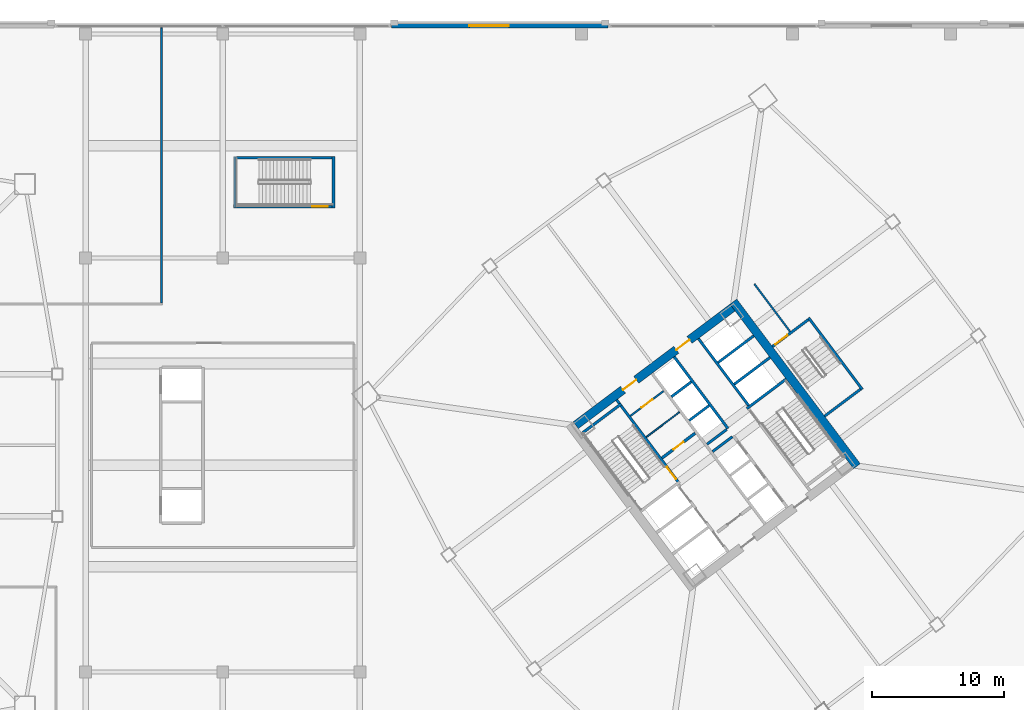
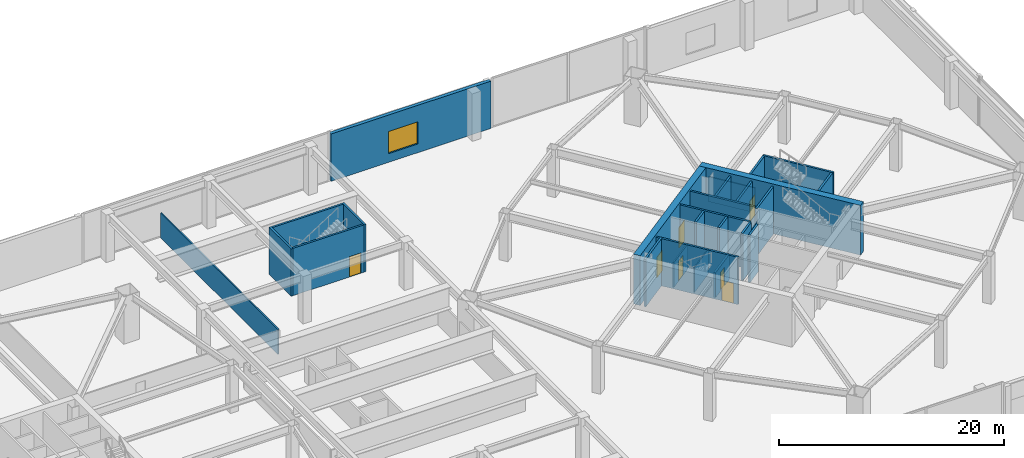
# One storey, part 37 of 48: 26 walls, 7 doors, 1 window, 8 openings.
"""IFC4 building model written with IfcOpenShell, lengths in metres."""

from ifc_helpers import new_model, si_unit, direction, frame, frame_2d, origin, place, context, subcontext, project, spatial, rectangle, extrude, material, layer, layer_set, type_object, element, fill, save


model = new_model("IFC4")

# Units and contexts
model_context = context("Model", 3, precision=1e-05, world=origin(), true_north=direction((0.0, 1.0)))
body_context = subcontext(model_context, "Body", "Model", "MODEL_VIEW")
ifc_project = project(units=[si_unit("LENGTHUNIT", "METRE"), si_unit("AREAUNIT", "SQUARE_METRE"), si_unit("VOLUMEUNIT", "CUBIC_METRE"), si_unit("PLANEANGLEUNIT", "RADIAN"), si_unit("MASSUNIT", "GRAM", prefix="KILO")], contexts=[model_context])

# Site, building, storey
site_placement = place(None, origin())
site = spatial("IfcSite", under=ifc_project, at=site_placement, CompositionType="ELEMENT")
building_placement = place(site_placement, origin())
building = spatial("IfcBuilding", under=site, at=building_placement, Name="Tashvorn Skyway Center", CompositionType="ELEMENT")
storey_placement = place(building_placement, frame((0.0, 0.0, 10.199951171875)))
storey = spatial("IfcBuildingStorey", under=building, at=storey_placement, Name="L02", CompositionType="ELEMENT", Elevation=10.199951171875)

# Wall
ifc_material_1 = material(Name="Concrete C60/75", Category="concrete")
ifc_layer_1 = layer(ifc_material_1, 0.64990234375)
ifc_layer_set_1 = layer_set([ifc_layer_1], Name="Concrete C60/75")
wall_type_1 = type_object("IfcWallType", Name="WALL-CORE-650", PredefinedType="SHEAR", material=ifc_layer_set_1)
wall_1_placement = place(storey_placement, frame((115.52392578125, 42.89306640625, 0.0), z_axis=(0.0, 0.0, 1.0), x_axis=(0.600005007985, -0.799996243986, 0.0)))
element("IfcWall", 1, at=wall_1_placement, inside=storey, type_object=wall_type_1, Name="Tower 2 L02 East Core Shear Wall", PredefinedType="SHEAR", context=body_context, shape_type="SweptSolid", body=[
    extrude(rectangle(XDim=15.60009765625, YDim=0.64990234375, at=frame_2d((7.800048828125, 0.0))), origin(), (0.0, 0.0, 1.0), 5.400146484375),
])

# Wall, openings, doors
wall_2_placement = place(storey_placement, frame((103.571044921875, 33.52197265625, 0.0), z_axis=(0.0, 0.0, 1.0), x_axis=(0.799998028465, 0.600002628705, 0.0)))
wall_2 = element("IfcWall", 2, at=wall_2_placement, inside=storey, type_object=wall_type_1, Name="Tower 2 L02 North Core Shear Wall", PredefinedType="SHEAR", context=body_context, shape_type="SweptSolid", body=[
    extrude(rectangle(XDim=14.85986328125, YDim=0.64990234375, at=frame_2d((7.429931640625, 0.0))), origin(), (0.0, 0.0, 1.0), 5.400146484375),
])
opening_1_placement = place(wall_2_placement, frame((4.47998046875, 0.0, 0.0)))
opening_1 = element("IfcOpeningElement", 3, at=opening_1_placement, cuts=wall_2, Name="Opening D-FFL-1250", PredefinedType="OPENING", context=body_context, shape_type="SweptSolid", body=[
    extrude(rectangle(XDim=1.25, YDim=2.25, at=frame_2d((0.625, 1.125))), frame((0.0, 0.3349609375, 0.0), z_axis=(0.0, -1.0, 0.0), x_axis=(1.0, 0.0, 0.0)), (0.0, 0.0, 1.0), 0.669921875),
])
opening_2_placement = place(wall_2_placement, frame((9.530029296875, 0.0, 0.0)))
opening_2 = element("IfcOpeningElement", 4, at=opening_2_placement, cuts=wall_2, Name="Opening D-FFL-1250", PredefinedType="OPENING", context=body_context, shape_type="SweptSolid", body=[
    extrude(rectangle(XDim=1.25, YDim=2.25, at=frame_2d((0.625, 1.125))), frame((0.0, 0.3349609375, 0.0), z_axis=(0.0, -1.0, 0.0), x_axis=(1.0, 0.0, 0.0)), (0.0, 0.0, 1.0), 0.669921875),
])
ifc_material_2 = material(Name="Hollow galvanized steel fire door assembly", Category="steel")
door_type_1 = type_object("IfcDoorType", Name="DOOR-FFL-1250", OperationType="NOTDEFINED", PredefinedType="DOOR", material=ifc_material_2)
door_1_placement = place(opening_1_placement, origin())
door_1 = element("IfcDoor", 5, at=door_1_placement, inside=storey, type_object=door_type_1, Name="Tower 2 L02 Core North Service Lobby Door", OperationType="SINGLE_SWING_LEFT", OverallHeight=2.25, OverallWidth=1.25, PredefinedType="DOOR", context=body_context, shape_type="SweptSolid", body=[
    extrude(rectangle(XDim=1.25, YDim=2.25, at=frame_2d((0.625, 1.125))), frame((0.0, 0.02490234375, 0.0), z_axis=(0.0, -1.0, 0.0), x_axis=(1.0, 0.0, 0.0)), (0.0, 0.0, 1.0), 0.050048828125),
])
fill(opening_1, door_1)
door_2_placement = place(opening_2_placement, origin())
door_2 = element("IfcDoor", 6, at=door_2_placement, inside=storey, type_object=door_type_1, Name="Tower 2 L02 Core North Lift Lobby Door", OperationType="SINGLE_SWING_RIGHT", OverallHeight=2.25, OverallWidth=1.25, PredefinedType="DOOR", context=body_context, shape_type="SweptSolid", body=[
    extrude(rectangle(XDim=1.25, YDim=2.25, at=frame_2d((0.625, 1.125))), frame((0.0, 0.02490234375, 0.0), z_axis=(0.0, -1.0, 0.0), x_axis=(1.0, 0.0, 0.0)), (0.0, 0.0, 1.0), 0.050048828125),
])
fill(opening_2, door_2)

# Wall, opening, window
ifc_material_3 = material(Name="Precast concrete C40/50", Category="concrete")
ifc_layer_2 = layer(ifc_material_3, 0.35009765625)
ifc_layer_set_2 = layer_set([ifc_layer_2], Name="Precast concrete C40/50")
wall_type_2 = type_object("IfcWallType", Name="WALL-EXT-350", PredefinedType="SOLIDWALL", material=ifc_layer_set_2)
wall_3_placement = place(storey_placement, frame((89.60009765625, 63.824951171875, 0.0), z_axis=(0.0, 0.0, 1.0), x_axis=(1.0, 0.0, 0.0)))
wall_3 = element("IfcWall", 7, at=wall_3_placement, inside=storey, type_object=wall_type_2, Name="L02 North Postmodern Pier Wall M2", PredefinedType="SOLIDWALL", context=body_context, shape_type="SweptSolid", body=[
    extrude(rectangle(XDim=16.39990234375, YDim=0.35009765625, at=frame_2d((8.199951171875, 0.0))), origin(), (0.0, 0.0, 1.0), 5.14013671875),
])
opening_3_placement = place(wall_3_placement, frame((5.89990234375, 0.0, 0.949951171875)))
opening_3 = element("IfcOpeningElement", 8, at=opening_3_placement, cuts=wall_3, Name="Opening WIN-3000", PredefinedType="OPENING", context=body_context, shape_type="SweptSolid", body=[
    extrude(rectangle(XDim=3.0, YDim=2.39990234375, at=frame_2d((1.5, 1.199951171875))), frame((0.0, 0.18505859375, 0.0), z_axis=(0.0, -1.0, 0.0), x_axis=(1.0, 0.0, 0.0)), (0.0, 0.0, 1.0), 0.3701171875),
])
ifc_material_4 = material(Name="Low-E solar-control double insulating safety glass", Category="glass")
window_type = type_object("IfcWindowType", Name="WIN-POD-3000", PartitioningType="SINGLE_PANEL", PredefinedType="WINDOW", material=ifc_material_4)
window_placement = place(opening_3_placement, origin())
window = element("IfcWindow", 9, at=window_placement, inside=storey, type_object=window_type, Name="L02 North Station Pier Window 05", OverallHeight=2.39990234375, OverallWidth=3.0, PartitioningType="SINGLE_PANEL", PredefinedType="WINDOW", context=body_context, shape_type="SweptSolid", body=[
    extrude(rectangle(XDim=3.0, YDim=2.39990234375, at=frame_2d((1.5, 1.199951171875))), frame((0.0, 0.030029296875, 0.0), z_axis=(0.0, -1.0, 0.0), x_axis=(1.0, 0.0, 0.0)), (0.0, 0.0, 1.0), 0.06005859375),
])
fill(opening_3, window)

# Wall, opening, door
ifc_material_5 = material(Name="Concrete C40/50", Category="concrete")
ifc_layer_3 = layer(ifc_material_5, 0.219970703125)
ifc_layer_set_3 = layer_set([ifc_layer_3], Name="Concrete C40/50")
wall_type_3 = type_object("IfcWallType", Name="WALL-FFL-220", PredefinedType="SOLIDWALL", material=ifc_layer_set_3)
wall_4_placement = place(storey_placement, frame((110.10400390625, 31.028076171875, 0.0), z_axis=(0.0, 0.0, 1.0), x_axis=(0.800018601094, 0.59997519774, 0.0)))
wall_4 = element("IfcWall", 10, at=wall_4_placement, inside=storey, type_object=wall_type_3, Name="Tower 2 L02 Firefighting Lobby North Wall", PredefinedType="SOLIDWALL", context=body_context, shape_type="SweptSolid", body=[
    extrude(rectangle(XDim=3.14990234375, YDim=0.219970703125, at=frame_2d((1.574951171875, 0.0))), origin(), (0.0, 0.0, 1.0), 2.7099609375),
])
opening_4_placement = place(wall_4_placement, frame((1.10009765625, 0.0, 0.0)))
opening_4 = element("IfcOpeningElement", 11, at=opening_4_placement, cuts=wall_4, Name="Opening D-RT-950", PredefinedType="OPENING", context=body_context, shape_type="SweptSolid", body=[
    extrude(rectangle(XDim=0.949951171875, YDim=2.050048828125, at=frame_2d((0.47509765625, 1.02490234375))), frame((0.0, 0.119873046875, 0.0), z_axis=(0.0, -1.0, 0.0), x_axis=(1.0, 0.0, 0.0)), (0.0, 0.0, 1.0), 0.239990234375),
])
door_type_2 = type_object("IfcDoorType", Name="DOOR-RATED-950", OperationType="NOTDEFINED", PredefinedType="DOOR", material=ifc_material_2)
door_3_placement = place(opening_4_placement, origin())
door_3 = element("IfcDoor", 12, at=door_3_placement, inside=storey, type_object=door_type_2, Name="Tower 2 L02 Core Linen Store Door", OperationType="SINGLE_SWING_LEFT", OverallHeight=2.050048828125, OverallWidth=0.949951171875, PredefinedType="DOOR", context=body_context, shape_type="SweptSolid", body=[
    extrude(rectangle(XDim=0.949951171875, YDim=2.050048828125, at=frame_2d((0.47509765625, 1.02490234375))), frame((0.0, 0.02490234375, 0.0), z_axis=(0.0, -1.0, 0.0), x_axis=(1.0, 0.0, 0.0)), (0.0, 0.0, 1.0), 0.050048828125),
])
fill(opening_4, door_3)

# Walls
ifc_material_6 = material(Name="Gypsum board on cold-formed steel stud framing", Category="steel")
ifc_layer_4 = layer(ifc_material_6, 0.135009765625)
ifc_layer_set_4 = layer_set([ifc_layer_4], Name="Gypsum board on cold-formed steel stud framing")
wall_type_4 = type_object("IfcWallType", Name="WALL-PART-135", PredefinedType="PARTITIONING", material=ifc_layer_set_4)
wall_5_placement = place(storey_placement, frame((119.823974609375, 40.617919921875, 0.0), z_axis=(0.0, 0.0, 1.0), x_axis=(-0.59999135767, 0.800006481675, 0.0)))
element("IfcWall", 13, at=wall_5_placement, inside=storey, type_object=wall_type_4, Name="Tower 2 L02 Stair 3 Access Corridor Wall", PredefinedType="PARTITIONING", context=body_context, shape_type="SweptSolid", body=[
    extrude(rectangle(XDim=4.52001953125, YDim=0.135009765625, at=frame_2d((2.260009765625, 0.0))), origin(), (0.0, 0.0, 1.0), 2.7099609375),
])
wall_6_placement = place(storey_placement, frame((72.14990234375, 42.800048828125, 0.0), z_axis=(0.0, 0.0, 1.0), x_axis=(0.0, 1.0, 0.0)))
element("IfcWall", 14, at=wall_6_placement, inside=storey, type_object=wall_type_4, Name="L02 Kitchen East Partition", PredefinedType="PARTITIONING", context=body_context, shape_type="SweptSolid", body=[
    extrude(rectangle(XDim=20.849853515625, YDim=0.135009765625, at=frame_2d((10.4248046875, 0.0))), origin(), (0.0, 0.0, 1.0), 2.7099609375),
])
ifc_layer_5 = layer(ifc_material_6, 0.110107421875)
ifc_layer_set_5 = layer_set([ifc_layer_5], Name="Gypsum board on cold-formed steel stud framing")
wall_type_5 = type_object("IfcWallType", Name="WALL-RATED-110", PredefinedType="PARTITIONING", material=ifc_layer_set_5)
wall_7_placement = place(storey_placement, frame((108.909912109375, 32.6201171875, 0.0), z_axis=(0.0, 0.0, 1.0), x_axis=(0.800018601094, 0.59997519774, 0.0)))
element("IfcWall", 15, at=wall_7_placement, inside=storey, type_object=wall_type_5, Name="Tower 2 L02 Core Transverse Wall", PredefinedType="PARTITIONING", context=body_context, shape_type="SweptSolid", body=[
    extrude(rectangle(XDim=3.14990234375, YDim=0.110107421875, at=frame_2d((1.574951171875, 0.0))), origin(), (0.0, 0.0, 1.0), 2.7099609375),
])

# Wall, opening, door
ifc_layer_6 = layer(ifc_material_6, 0.135009765625)
ifc_layer_set_6 = layer_set([ifc_layer_6], Name="Gypsum board on cold-formed steel stud framing")
wall_type_6 = type_object("IfcWallType", Name="WALL-RATED-135", PredefinedType="PARTITIONING", material=ifc_layer_set_6)
wall_8_placement = place(storey_placement, frame((107.7099609375, 34.219970703125, 0.0), z_axis=(0.0, 0.0, 1.0), x_axis=(0.799981399002, 0.60002480053, 0.0)))
wall_8 = element("IfcWall", 16, at=wall_8_placement, inside=storey, type_object=wall_type_6, Name="Tower 2 L02 Core Service Lobby Wall", PredefinedType="PARTITIONING", context=body_context, shape_type="SweptSolid", body=[
    extrude(rectangle(XDim=3.150146484375, YDim=0.135009765625, at=frame_2d((1.5751953125, 0.0))), origin(), (0.0, 0.0, 1.0), 2.7099609375),
])
opening_5_placement = place(wall_8_placement, frame((1.050048828125, 0.0, 0.0)))
opening_5 = element("IfcOpeningElement", 17, at=opening_5_placement, cuts=wall_8, Name="Opening D-RT-1050", PredefinedType="OPENING", context=body_context, shape_type="SweptSolid", body=[
    extrude(rectangle(XDim=1.050048828125, YDim=2.199951171875, at=frame_2d((0.52490234375, 1.10009765625))), frame((0.0, 0.077392578125, 0.0), z_axis=(0.0, -1.0, 0.0), x_axis=(1.0, 0.0, 0.0)), (0.0, 0.0, 1.0), 0.155029296875),
])
door_type_3 = type_object("IfcDoorType", Name="DOOR-RATED-1050", OperationType="NOTDEFINED", PredefinedType="DOOR", material=ifc_material_2)
door_4_placement = place(opening_5_placement, origin())
door_4 = element("IfcDoor", 18, at=door_4_placement, inside=storey, type_object=door_type_3, Name="Tower 2 L02 Core Accessible WC Door", OperationType="SINGLE_SWING_RIGHT", OverallHeight=2.199951171875, OverallWidth=1.050048828125, PredefinedType="DOOR", context=body_context, shape_type="SweptSolid", body=[
    extrude(rectangle(XDim=1.050048828125, YDim=2.199951171875, at=frame_2d((0.52490234375, 1.10009765625))), frame((0.0, 0.02490234375, 0.0), z_axis=(0.0, -1.0, 0.0), x_axis=(1.0, 0.0, 0.0)), (0.0, 0.0, 1.0), 0.050048828125),
])
fill(opening_5, door_4)

# Walls
ifc_layer_7 = layer(ifc_material_5, 0.199951171875)
ifc_layer_set_7 = layer_set([ifc_layer_7], Name="Concrete C40/50")
wall_type_7 = type_object("IfcWallType", Name="WALL-SHAFT-200", PredefinedType="SOLIDWALL", material=ifc_layer_set_7)
for number, where, z_axis, x_axis, name in (
    (19, (115.590087890625, 36.6298828125, 0.0), (0.0, 0.0, 1.0), (0.799973995579, 0.600034670996, 0.0), "Tower 2 L02 High-Rise Shaft Divider"),
    (20, (114.360107421875, 38.27001953125, 0.0), (0.0, 0.0, 1.0), (0.799973995579, 0.600034670996, 0.0), "Tower 2 L02 High-Rise Shaft Divider"),
):
    element("IfcWall", number, at=place(storey_placement, frame(where, z_axis=z_axis, x_axis=x_axis)), inside=storey, type_object=wall_type_7, Name=name, PredefinedType="SOLIDWALL", context=body_context, shape_type="SweptSolid", body=[
        extrude(rectangle(XDim=3.3798828125, YDim=0.199951171875, at=frame_2d((1.68994140625, 0.0))), origin(), (0.0, 0.0, 1.0), 5.14013671875),
    ])
wall_9_placement = place(storey_placement, frame((113.946044921875, 31.52197265625, 0.0), z_axis=(0.0, 0.0, 1.0), x_axis=(0.8, 0.6, 0.0)))
element("IfcWall", 21, at=wall_9_placement, inside=storey, type_object=wall_type_7, Name="Tower 2 L02 Low-Rise Shaft Divider", PredefinedType="SOLIDWALL", context=body_context, shape_type="SweptSolid", body=[
    extrude(rectangle(XDim=1.8798828125, YDim=0.199951171875, at=frame_2d((0.93994140625, 0.0))), origin(), (0.0, 0.0, 1.0), 5.14013671875),
])
wall_10_placement = place(storey_placement, frame((115.110107421875, 33.27001953125, 0.0), z_axis=(0.0, 0.0, 1.0), x_axis=(-0.600011488909, 0.79999138319, 0.0)))
element("IfcWall", 22, at=wall_10_placement, inside=storey, type_object=wall_type_7, Name="Tower 2 L02 Mid-Rise Core Wall", PredefinedType="SOLIDWALL", context=body_context, shape_type="SweptSolid", body=[
    extrude(rectangle(XDim=6.800048828125, YDim=0.199951171875, at=frame_2d((3.39990234375, 0.0))), origin(), (0.0, 0.0, 1.0), 5.14013671875),
])
wall_11_placement = place(storey_placement, frame((113.52587890625, 32.08203125, 0.0), z_axis=(0.0, 0.0, 1.0), x_axis=(0.800046745961, 0.599937666993, 0.0)))
element("IfcWall", 23, at=wall_11_placement, inside=storey, type_object=wall_type_7, Name="Tower 2 L02 Mid-Rise Shaft Divider", PredefinedType="SOLIDWALL", context=body_context, shape_type="SweptSolid", body=[
    extrude(rectangle(XDim=1.880126953125, YDim=0.199951171875, at=frame_2d((0.93994140625, 0.0))), origin(), (0.0, 0.0, 1.0), 5.14013671875),
])
wall_12_placement = place(storey_placement, frame((112.176025390625, 33.882080078125, 0.0), z_axis=(0.0, 0.0, 1.0), x_axis=(0.8, 0.6, 0.0)))
element("IfcWall", 24, at=wall_12_placement, inside=storey, type_object=wall_type_7, Name="Tower 2 L02 Mid-Rise Shaft Divider", PredefinedType="SOLIDWALL", context=body_context, shape_type="SweptSolid", body=[
    extrude(rectangle(XDim=1.8798828125, YDim=0.199951171875, at=frame_2d((0.93994140625, 0.0))), origin(), (0.0, 0.0, 1.0), 5.14013671875),
])
wall_13_placement = place(storey_placement, frame((110.825927734375, 35.681884765625, 0.0), z_axis=(0.0, 0.0, 1.0), x_axis=(0.799984418148, 0.600020775241, 0.0)))
element("IfcWall", 25, at=wall_13_placement, inside=storey, type_object=wall_type_7, Name="Tower 2 L02 Mid-Rise Shaft Divider", PredefinedType="SOLIDWALL", context=body_context, shape_type="SweptSolid", body=[
    extrude(rectangle(XDim=1.880126953125, YDim=0.199951171875, at=frame_2d((0.93994140625, 0.0))), origin(), (0.0, 0.0, 1.0), 5.14013671875),
])

# Wall, opening, door
ifc_layer_8 = layer(ifc_material_5, 0.199951171875)
ifc_layer_set_8 = layer_set([ifc_layer_8], Name="Concrete C40/50")
wall_type_8 = type_object("IfcWallType", Name="WALL-STSHF-200", PredefinedType="SHEAR", material=ifc_layer_set_8)
wall_14_placement = place(storey_placement, frame((111.43994140625, 29.080078125, 0.0), z_axis=(0.0, 0.0, 1.0), x_axis=(-0.600009827119, 0.799992629566, 0.0)))
wall_14 = element("IfcWall", 26, at=wall_14_placement, inside=storey, type_object=wall_type_8, Name="Tower 2 L02 Stair 1 Enclosure Wall", PredefinedType="SHEAR", context=body_context, shape_type="SweptSolid", body=[
    extrude(rectangle(XDim=7.949951171875, YDim=0.199951171875, at=frame_2d((3.97509765625, 0.0))), origin(), (0.0, 0.0, 1.0), 5.14013671875),
])
opening_6_placement = place(wall_14_placement, frame((0.449951171875, 0.0, 0.0)))
opening_6 = element("IfcOpeningElement", 27, at=opening_6_placement, cuts=wall_14, Name="Opening D-ST-1150", PredefinedType="OPENING", context=body_context, shape_type="SweptSolid", body=[
    extrude(rectangle(XDim=1.14990234375, YDim=2.199951171875, at=frame_2d((0.574951171875, 1.10009765625))), frame((0.0, 0.10986328125, 0.0), z_axis=(0.0, -1.0, 0.0), x_axis=(1.0, 0.0, 0.0)), (0.0, 0.0, 1.0), 0.219970703125),
])
door_type_4 = type_object("IfcDoorType", Name="DOOR-STAIR-1150", OperationType="NOTDEFINED", PredefinedType="DOOR", material=ifc_material_2)
door_5_placement = place(opening_6_placement, origin())
door_5 = element("IfcDoor", 28, at=door_5_placement, inside=storey, type_object=door_type_4, Name="Tower 2 L02 Exit Stair 1 Door", OperationType="SINGLE_SWING_RIGHT", OverallHeight=2.199951171875, OverallWidth=1.14990234375, PredefinedType="DOOR", context=body_context, shape_type="SweptSolid", body=[
    extrude(rectangle(XDim=1.14990234375, YDim=2.199951171875, at=frame_2d((0.574951171875, 1.10009765625))), frame((0.0, 0.02490234375, 0.0), z_axis=(0.0, -1.0, 0.0), x_axis=(1.0, 0.0, 0.0)), (0.0, 0.0, 1.0), 0.050048828125),
])
fill(opening_6, door_5)

# Walls
for number, where, z_axis, x_axis, name in (
    (29, (104.035888671875, 32.902099609375, 0.0), (0.0, 0.0, 1.0), (0.800039270442, 0.59994763584, 0.0), "Tower 2 L02 Stair 1 North Wall"),
    (30, (116.5400390625, 34.780029296875, 0.0), (0.0, 0.0, 1.0), (0.799984290658, 0.600020945218, 0.0), "Tower 2 L02 Stair 2 North Wall"),
):
    element("IfcWall", number, at=place(storey_placement, frame(where, z_axis=z_axis, x_axis=x_axis)), inside=storey, type_object=wall_type_8, Name=name, PredefinedType="SHEAR", context=body_context, shape_type="SweptSolid", body=[
        extrude(rectangle(XDim=3.72998046875, YDim=0.199951171875, at=frame_2d((1.864990234375, 0.0))), origin(), (0.0, 0.0, 1.0), 5.14013671875),
    ])
wall_15_placement = place(storey_placement, frame((112.8701171875, 40.090087890625, 0.0), z_axis=(0.0, 0.0, 1.0), x_axis=(0.599975393228, -0.800018454488, 0.0)))
element("IfcWall", 31, at=wall_15_placement, inside=storey, type_object=wall_type_8, Name="Tower 2 L02 High-Rise Lift Shaft Front Wall", PredefinedType="SHEAR", context=body_context, shape_type="SweptSolid", body=[
    extrude(rectangle(XDim=6.349853515625, YDim=0.199951171875, at=frame_2d((3.1748046875, 0.0))), origin(), (0.0, 0.0, 1.0), 5.14013671875),
])
wall_16_placement = place(storey_placement, frame((125.303955078125, 36.22802734375, 0.0), z_axis=(0.0, 0.0, 1.0), x_axis=(-0.59998851072, 0.800008616831, 0.0)))
element("IfcWall", 32, at=wall_16_placement, inside=storey, type_object=wall_type_8, Name="Tower 2 L02 Stair 3 Outer Wall", PredefinedType="SHEAR", context=body_context, shape_type="SweptSolid", body=[
    extrude(rectangle(XDim=6.7998046875, YDim=0.199951171875, at=frame_2d((3.39990234375, 0.0))), origin(), (0.0, 0.0, 1.0), 5.14013671875),
])

# Wall, opening, door
wall_17_placement = place(storey_placement, frame((121.2041015625, 41.528076171875, 0.0), z_axis=(0.0, 0.0, 1.0), x_axis=(-0.800017232136, -0.599977023131, 0.0)))
wall_17 = element("IfcWall", 33, at=wall_17_placement, inside=storey, type_object=wall_type_8, Name="Tower 2 L02 Stair 3 Enclosure Wall", PredefinedType="SHEAR", context=body_context, shape_type="SweptSolid", body=[
    extrude(rectangle(XDim=3.400146484375, YDim=0.199951171875, at=frame_2d((1.7001953125, 0.0))), origin(), (0.0, 0.0, 1.0), 5.14013671875),
])
opening_7_placement = place(wall_17_placement, frame((1.97509765625, 0.0, 0.0)))
opening_7 = element("IfcOpeningElement", 34, at=opening_7_placement, cuts=wall_17, Name="Opening D-ST-1150", PredefinedType="OPENING", context=body_context, shape_type="SweptSolid", body=[
    extrude(rectangle(XDim=1.14990234375, YDim=2.199951171875, at=frame_2d((0.574951171875, 1.10009765625))), frame((0.0, 0.10986328125, 0.0), z_axis=(0.0, -1.0, 0.0), x_axis=(1.0, 0.0, 0.0)), (0.0, 0.0, 1.0), 0.219970703125),
])
door_6_placement = place(opening_7_placement, origin())
door_6 = element("IfcDoor", 35, at=door_6_placement, inside=storey, type_object=door_type_4, Name="Tower 2 L02 Exit Stair 3 Door", OperationType="SINGLE_SWING_RIGHT", OverallHeight=2.199951171875, OverallWidth=1.14990234375, PredefinedType="DOOR", context=body_context, shape_type="SweptSolid", body=[
    extrude(rectangle(XDim=1.14990234375, YDim=2.199951171875, at=frame_2d((0.574951171875, 1.10009765625))), frame((0.0, 0.02490234375, 0.0), z_axis=(0.0, -1.0, 0.0), x_axis=(1.0, 0.0, 0.0)), (0.0, 0.0, 1.0), 0.050048828125),
])
fill(opening_7, door_6)

# Wall
wall_18_placement = place(storey_placement, frame((122.444091796875, 34.2080078125, 0.0), z_axis=(0.0, 0.0, 1.0), x_axis=(0.79999138319, 0.600011488909, 0.0)))
element("IfcWall", 36, at=wall_18_placement, inside=storey, type_object=wall_type_8, Name="Tower 2 L02 Stair 3 South Wall", PredefinedType="SHEAR", context=body_context, shape_type="SweptSolid", body=[
    extrude(rectangle(XDim=3.39990234375, YDim=0.199951171875, at=frame_2d((1.699951171875, 0.0))), origin(), (0.0, 0.0, 1.0), 5.14013671875),
])

# Wall, opening, door
wall_19_placement = place(storey_placement, frame((77.60009765625, 50.10009765625, 0.0), z_axis=(0.0, 0.0, 1.0), x_axis=(1.0, 0.0, 0.0)))
wall_19 = element("IfcWall", 37, at=wall_19_placement, inside=storey, type_object=wall_type_8, Name="L02 Podium Stair 2 South Wall", PredefinedType="SHEAR", context=body_context, shape_type="SweptSolid", body=[
    extrude(rectangle(XDim=7.699951171875, YDim=0.199951171875, at=frame_2d((3.85009765625, 0.0))), origin(), (0.0, 0.0, 1.0), 5.14013671875),
])
opening_8_placement = place(wall_19_placement, frame((6.0, 0.0, 0.0)))
opening_8 = element("IfcOpeningElement", 38, at=opening_8_placement, cuts=wall_19, Name="Opening D-ST-1150", PredefinedType="OPENING", context=body_context, shape_type="SweptSolid", body=[
    extrude(rectangle(XDim=1.14990234375, YDim=2.199951171875, at=frame_2d((0.574951171875, 1.10009765625))), frame((0.0, 0.10986328125, 0.0), z_axis=(0.0, -1.0, 0.0), x_axis=(1.0, 0.0, 0.0)), (0.0, 0.0, 1.0), 0.219970703125),
])
door_7_placement = place(opening_8_placement, origin())
door_7 = element("IfcDoor", 39, at=door_7_placement, inside=storey, type_object=door_type_4, Name="L02 Podium Stair 2 Door", OperationType="SINGLE_SWING_RIGHT", OverallHeight=2.199951171875, OverallWidth=1.14990234375, PredefinedType="DOOR", context=body_context, shape_type="SweptSolid", body=[
    extrude(rectangle(XDim=1.14990234375, YDim=2.199951171875, at=frame_2d((0.574951171875, 1.10009765625))), frame((0.0, 0.02490234375, 0.0), z_axis=(0.0, -1.0, 0.0), x_axis=(1.0, 0.0, 0.0)), (0.0, 0.0, 1.0), 0.050048828125),
])
fill(opening_8, door_7)

# Walls
wall_20_placement = place(storey_placement, frame((77.60009765625, 53.800048828125, 0.0), z_axis=(0.0, 0.0, 1.0), x_axis=(1.0, 0.0, 0.0)))
element("IfcWall", 40, at=wall_20_placement, inside=storey, type_object=wall_type_8, Name="L02 Podium Stair 2 North Wall", PredefinedType="SHEAR", context=body_context, shape_type="SweptSolid", body=[
    extrude(rectangle(XDim=7.699951171875, YDim=0.199951171875, at=frame_2d((3.85009765625, 0.0))), origin(), (0.0, 0.0, 1.0), 5.14013671875),
])
for number, where, z_axis, x_axis, name in (
    (41, (77.699951171875, 50.0, 0.0), (0.0, 0.0, 1.0), (0.0, 1.0, 0.0), "L02 Podium Stair 2 West Wall"),
    (42, (85.199951171875, 50.0, 0.0), (0.0, 0.0, 1.0), (0.0, 1.0, 0.0), "L02 Podium Stair 2 East Wall"),
):
    element("IfcWall", number, at=place(storey_placement, frame(where, z_axis=z_axis, x_axis=x_axis)), inside=storey, type_object=wall_type_8, Name=name, PredefinedType="SHEAR", context=body_context, shape_type="SweptSolid", body=[
        extrude(rectangle(XDim=3.89990234375, YDim=0.199951171875, at=frame_2d((1.949951171875, 0.0))), origin(), (0.0, 0.0, 1.0), 5.14013671875),
    ])

save(model, "model.ifc")
